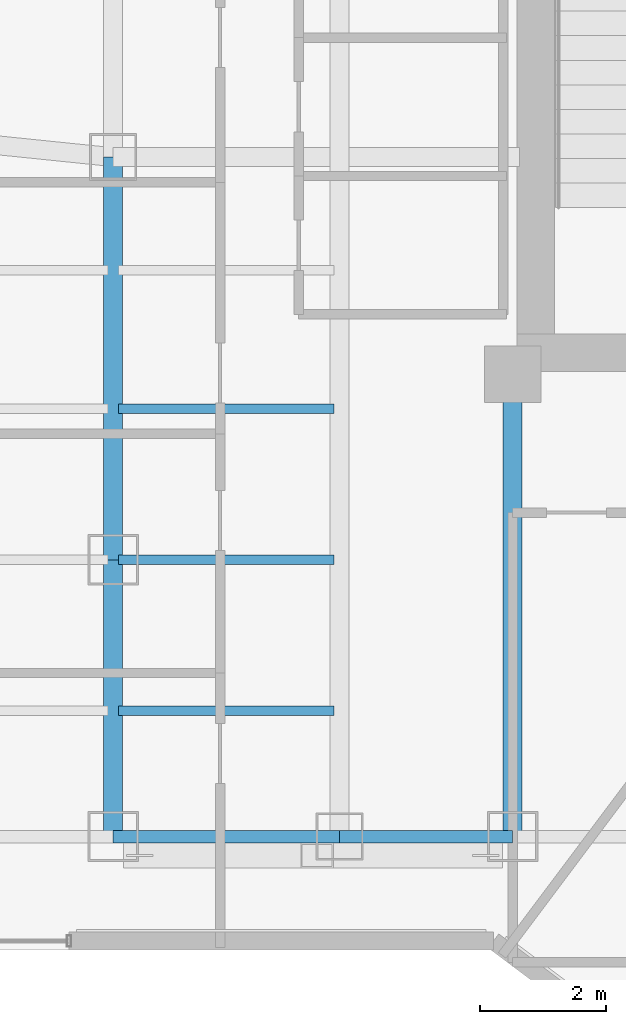
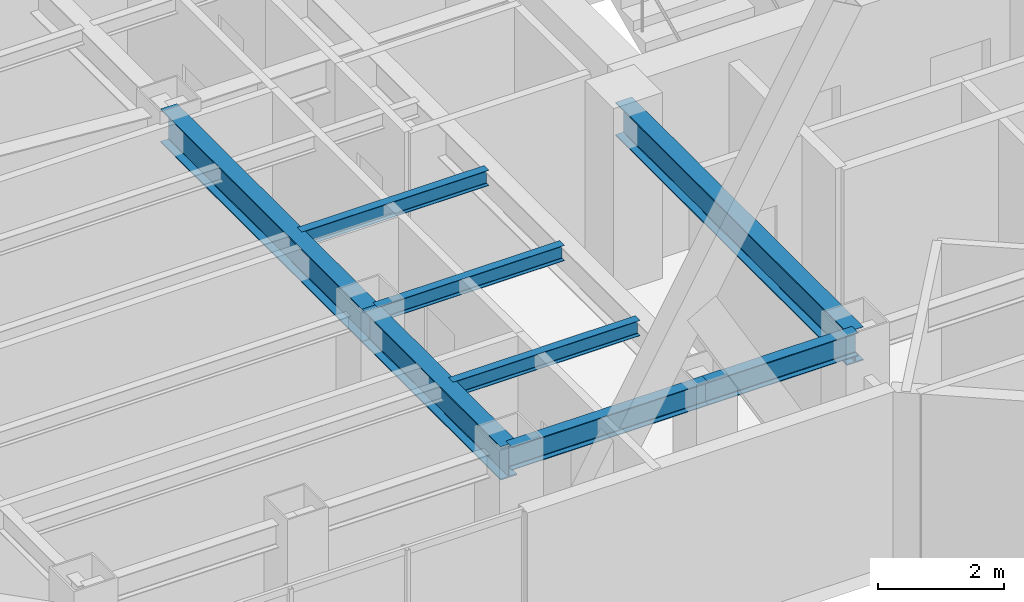
# One storey, part 5 of 27: 8 beams.
"""IFC4 building model written with IfcOpenShell, lengths in metres."""

from ifc_helpers import new_model, si_unit, direction, frame, origin, origin_2d, place, context, subcontext, project, spatial, i_section, extrude, material, material_profile, profile_set, type_object, element, save


model = new_model("IFC4")

# Units and contexts
model_context = context("Model", 3, precision=1e-05, world=origin(), true_north=direction((0.0, 1.0)))
body_context = subcontext(model_context, "Body", "Model", "MODEL_VIEW")
ifc_project = project(units=[si_unit("LENGTHUNIT", "METRE"), si_unit("AREAUNIT", "SQUARE_METRE"), si_unit("VOLUMEUNIT", "CUBIC_METRE"), si_unit("PLANEANGLEUNIT", "RADIAN"), si_unit("MASSUNIT", "GRAM", prefix="KILO")], contexts=[model_context])

# Site, building, storey
site_placement = place(None, origin())
site = spatial("IfcSite", under=ifc_project, at=site_placement, CompositionType="ELEMENT")
building_placement = place(site_placement, origin())
building = spatial("IfcBuilding", under=site, at=building_placement, Name="Hatsunagi Terrace Concourse", CompositionType="ELEMENT")
storey_placement = place(building_placement, frame((0.0, 0.0, 167.25)))
storey = spatial("IfcBuildingStorey", under=building, at=storey_placement, Name="L44", CompositionType="ELEMENT", Elevation=167.25)

# Beams
ifc_material_1 = material(Name="Steel SN490B", Category="steel")
ifc_material_profile_1 = material_profile(ifc_material_1, i_section(OverallWidth=0.14990234375, OverallDepth=0.300048828125, WebThickness=0.006591796875, FlangeThickness=0.009033203125, FilletRadius=0.010986328125, at=origin_2d()), Name="H-300x150x6.5x9")
ifc_profile_set_1 = profile_set([ifc_material_profile_1], Name="Steel SN490B")
beam_type_1 = type_object("IfcBeamType", Name="OfficeJoist_H_300x150", PredefinedType="JOIST", material=ifc_profile_set_1)
for number, where, z_axis, x_axis, name in (
    (1, (19.284912109375, 27.199951171875, 3.199951171875), (1.0, 0.0, 0.0), (0.0, 1.0, 0.0), "Beam J-03 J-L44-W-19-272"),
    (2, (19.284912109375, 29.60009765625, 3.199951171875), (1.0, 0.0, 0.0), (0.0, 1.0, 0.0), "Beam J-03 J-L44-W-19-296"),
    (3, (19.284912109375, 32.0, 3.199951171875), (1.0, 0.0, 0.0), (0.0, 1.0, 0.0), "Beam J-03 J-L44-W-19-320"),
):
    element("IfcBeam", number, at=place(storey_placement, frame(where, z_axis=z_axis, x_axis=x_axis)), inside=storey, type_object=beam_type_1, Name=name, PredefinedType="JOIST", context=body_context, shape_type="SweptSolid", body=[
        extrude(i_section(OverallWidth=0.14990234375, OverallDepth=0.300048828125, WebThickness=0.006591796875, FlangeThickness=0.009033203125, FilletRadius=0.010986328125, at=origin_2d()), origin(), (0.0, 0.0, 1.0), 3.43017578125),
    ])
ifc_material_2 = material(Name="Steel SN490B", Category="steel")
ifc_material_profile_2 = material_profile(ifc_material_2, i_section(OverallWidth=0.300048828125, OverallDepth=0.64990234375, WebThickness=0.012939453125, FlangeThickness=0.02197265625, FilletRadius=0.01806640625, at=origin_2d()), Name="H-650x300x13x22")
ifc_profile_set_2 = profile_set([ifc_material_profile_2], Name="Steel SN490B")
beam_type_2 = type_object("IfcBeamType", Name="OfficeLowGirder_H_650x300", PredefinedType="BEAM", material=ifc_profile_set_2)
beam_1_placement = place(storey_placement, frame((25.550048828125, 25.199951171875, 3.02490234375), z_axis=(0.0, 1.0, 0.0), x_axis=(-1.0, 0.0, 0.0)))
element("IfcBeam", 4, at=beam_1_placement, inside=storey, type_object=beam_type_2, Name="Beam G-05 BM-L44-K1CA", PredefinedType="BEAM", context=body_context, shape_type="SweptSolid", body=[
    extrude(i_section(OverallWidth=0.300048828125, OverallDepth=0.64990234375, WebThickness=0.012939453125, FlangeThickness=0.02197265625, FilletRadius=0.01806640625, at=origin_2d()), origin(), (0.0, 0.0, 1.0), 7.35009765625),
])
beam_2_placement = place(storey_placement, frame((19.199951171875, 25.199951171875, 3.02490234375), z_axis=(0.0, 1.0, 0.0), x_axis=(-1.0, 0.0, 0.0)))
element("IfcBeam", 5, at=beam_2_placement, inside=storey, type_object=beam_type_2, Name="Beam G-05 BM-L44-NS-19-25", PredefinedType="BEAM", context=body_context, shape_type="SweptSolid", body=[
    extrude(i_section(OverallWidth=0.300048828125, OverallDepth=0.64990234375, WebThickness=0.012939453125, FlangeThickness=0.02197265625, FilletRadius=0.01806640625, at=origin_2d()), origin(), (0.0, 0.0, 1.0), 4.400146484375),
])
beam_3_placement = place(storey_placement, frame((19.199951171875, 29.60009765625, 3.02490234375), z_axis=(0.0, 1.0, 0.0), x_axis=(-1.0, 0.0, 0.0)))
element("IfcBeam", 6, at=beam_3_placement, inside=storey, type_object=beam_type_2, Name="Beam G-05 BM-L44-NS-19-29", PredefinedType="BEAM", context=body_context, shape_type="SweptSolid", body=[
    extrude(i_section(OverallWidth=0.300048828125, OverallDepth=0.64990234375, WebThickness=0.012939453125, FlangeThickness=0.02197265625, FilletRadius=0.01806640625, at=origin_2d()), origin(), (0.0, 0.0, 1.0), 6.39990234375),
])
ifc_material_3 = material(Name="Steel SN490B", Category="steel")
ifc_material_profile_3 = material_profile(ifc_material_3, i_section(OverallWidth=0.199951171875, OverallDepth=0.449951171875, WebThickness=0.009033203125, FlangeThickness=0.013916015625, FilletRadius=0.01611328125, at=origin_2d()), Name="H-450x200x9x14")
ifc_profile_set_3 = profile_set([ifc_material_profile_3], Name="Steel SN490B")
beam_type_3 = type_object("IfcBeamType", Name="PerimeterSpandrel_H_450x200", PredefinedType="SPANDREL", material=ifc_profile_set_3)
beam_4_placement = place(storey_placement, frame((19.199951171875, 25.199951171875, 3.125), z_axis=(1.0, 0.0, 0.0), x_axis=(0.0, 1.0, 0.0)))
element("IfcBeam", 7, at=beam_4_placement, inside=storey, type_object=beam_type_3, Name="Beam SP-02 BM-L44-WS-19", PredefinedType="SPANDREL", context=body_context, shape_type="SweptSolid", body=[
    extrude(i_section(OverallWidth=0.199951171875, OverallDepth=0.449951171875, WebThickness=0.009033203125, FlangeThickness=0.013916015625, FilletRadius=0.01611328125, at=origin_2d()), origin(), (0.0, 0.0, 1.0), 3.60009765625),
])
beam_5_placement = place(storey_placement, frame((22.800048828125, 25.199951171875, 3.125), z_axis=(1.0, 0.0, 0.0), x_axis=(0.0, 1.0, 0.0)))
element("IfcBeam", 8, at=beam_5_placement, inside=storey, type_object=beam_type_3, Name="Beam SP-02 BM-L44-WS-22", PredefinedType="SPANDREL", context=body_context, shape_type="SweptSolid", body=[
    extrude(i_section(OverallWidth=0.199951171875, OverallDepth=0.449951171875, WebThickness=0.009033203125, FlangeThickness=0.013916015625, FilletRadius=0.01611328125, at=origin_2d()), origin(), (0.0, 0.0, 1.0), 2.75),
])

save(model, "model.ifc")
